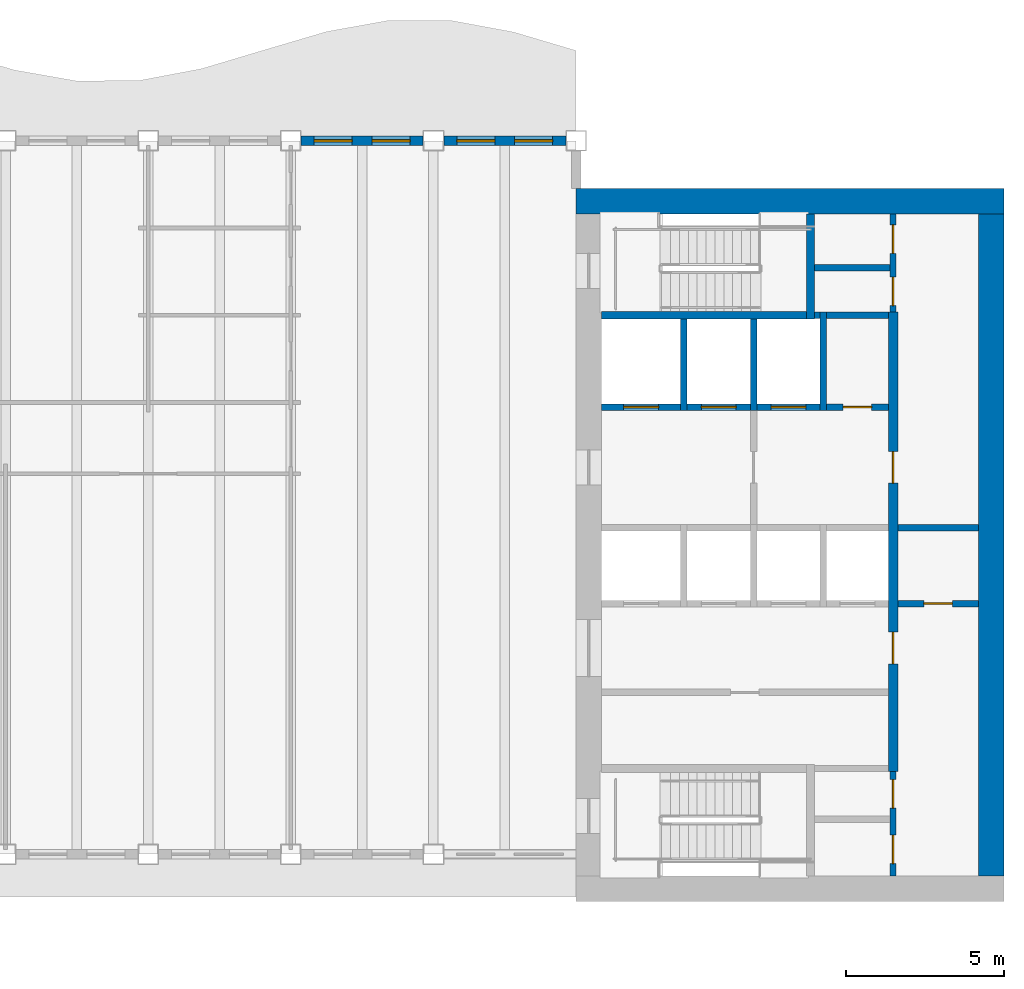
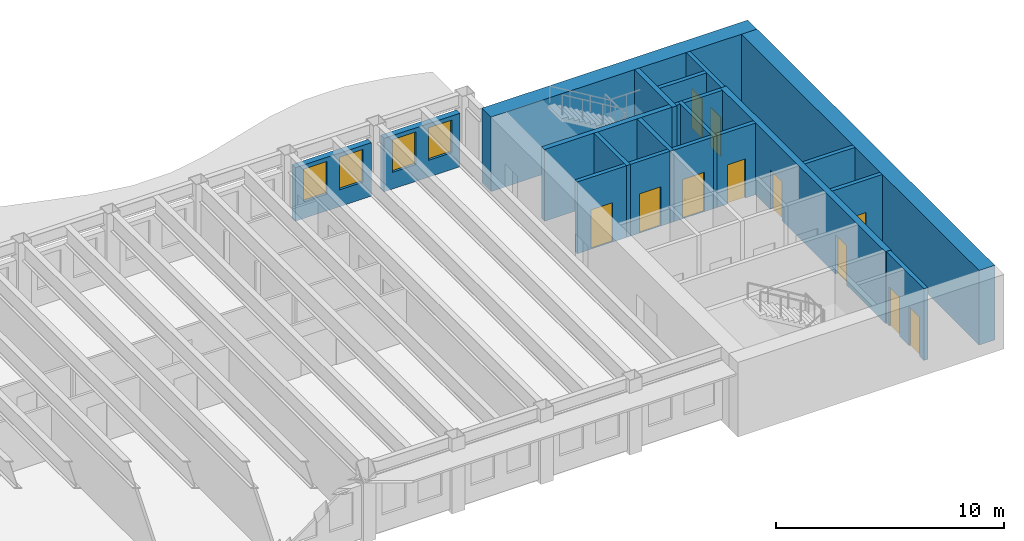
# One storey, part 6 of 12: 21 walls, 11 doors, 4 windows, 15 openings.
"""IFC4 building model written with IfcOpenShell, lengths in metres."""

from ifc_helpers import new_model, si_unit, direction, frame, frame_2d, origin, place, context, subcontext, project, spatial, rectangle, extrude, material, layer, layer_set, type_object, element, fill, save


model = new_model("IFC4")

# Units and contexts
model_context = context("Model", 3, precision=1e-05, world=origin(), true_north=direction((0.0, 1.0)))
body_context = subcontext(model_context, "Body", "Model", "MODEL_VIEW")
ifc_project = project(units=[si_unit("LENGTHUNIT", "METRE"), si_unit("AREAUNIT", "SQUARE_METRE"), si_unit("VOLUMEUNIT", "CUBIC_METRE"), si_unit("PLANEANGLEUNIT", "RADIAN"), si_unit("MASSUNIT", "GRAM", prefix="KILO")], contexts=[model_context])

# Site, building, storey
site_placement = place(None, origin())
site = spatial("IfcSite", under=ifc_project, at=site_placement, CompositionType="ELEMENT")
building_placement = place(site_placement, origin())
building = spatial("IfcBuilding", under=site, at=building_placement, Name="Sennacour Bend Tower", CompositionType="ELEMENT")
storey_placement = place(building_placement, frame((0.0, 0.0, 281.0)))
storey = spatial("IfcBuildingStorey", under=building, at=storey_placement, Name="L65", CompositionType="ELEMENT", Elevation=281.0)

# Walls
ifc_material_1 = material(Name="Concrete C50/60", Category="concrete")
ifc_layer_1 = layer(ifc_material_1, 0.800048828125, Name="Concrete C50/60", Category="concrete")
ifc_layer_set_1 = layer_set([ifc_layer_1], Name="Concrete C50/60")
wall_type_1 = type_object("IfcWallType", Name="Core wall 800 C50/60", PredefinedType="SHEAR", material=ifc_layer_set_1)
wall_1_placement = place(storey_placement, frame((54.0, 22.10009765625, -0.14990234375), z_axis=(0.0, 0.0, 1.0), x_axis=(1.0, 0.0, 0.0)))
element("IfcWall", 1, at=wall_1_placement, inside=storey, type_object=wall_type_1, Name="Core A wall L65 N", PredefinedType="SHEAR", context=body_context, shape_type="SweptSolid", body=[
    extrude(rectangle(XDim=13.5, YDim=0.800048828125, at=frame_2d((6.75, 0.0))), origin(), (0.0, 0.0, 1.0), 4.0),
])
wall_2_placement = place(storey_placement, frame((67.10009765625, 0.800048828125, -0.14990234375), z_axis=(0.0, 0.0, 1.0), x_axis=(0.0, 1.0, 0.0)))
element("IfcWall", 2, at=wall_2_placement, inside=storey, type_object=wall_type_1, Name="Core A wall L65 E", PredefinedType="SHEAR", context=body_context, shape_type="SweptSolid", body=[
    extrude(rectangle(XDim=20.89990234375, YDim=0.800048828125, at=frame_2d((10.449951171875, 0.0))), origin(), (0.0, 0.0, 1.0), 4.0),
])

# Wall, openings, doors
ifc_material_2 = material(Name="Fire-rated plasterboard partition on steel studs", Category="steel")
ifc_layer_2 = layer(ifc_material_2, 0.199951171875, Name="Fire-rated plasterboard partition on steel studs", Category="steel")
ifc_layer_set_2 = layer_set([ifc_layer_2], Name="Fire-rated plasterboard partition on steel studs")
wall_type_2 = type_object("IfcWallType", Name="Rated partition 200", PredefinedType="PARTITIONING", material=ifc_layer_set_2)
wall_3_placement = place(storey_placement, frame((64.0, 0.800048828125, 0.0), z_axis=(0.0, 0.0, 1.0), x_axis=(0.0, 1.0, 0.0)))
wall_3 = element("IfcWall", 3, at=wall_3_placement, inside=storey, type_object=wall_type_2, Name="P-L65-W026", PredefinedType="PARTITIONING", context=body_context, shape_type="SweptSolid", body=[
    extrude(rectangle(XDim=3.300048828125, YDim=0.199951171875, at=frame_2d((1.64990234375, 0.0))), origin(), (0.0, 0.0, 1.0), 3.85009765625),
])
opening_1_placement = place(wall_3_placement, frame((0.39990234375, 0.0, 0.0)))
opening_1 = element("IfcOpeningElement", 4, at=opening_1_placement, cuts=wall_3, Name="Opening SV", PredefinedType="OPENING", context=body_context, shape_type="SweptSolid", body=[
    extrude(rectangle(XDim=0.89990234375, YDim=2.10009765625, at=frame_2d((0.449951171875, 1.050048828125))), frame((0.0, 0.10986328125, 0.0), z_axis=(0.0, -1.0, 0.0), x_axis=(1.0, 0.0, 0.0)), (0.0, 0.0, 1.0), 0.219970703125),
])
opening_2_placement = place(wall_3_placement, frame((2.14990234375, 0.0, 0.0)))
opening_2 = element("IfcOpeningElement", 5, at=opening_2_placement, cuts=wall_3, Name="Opening WD", PredefinedType="OPENING", context=body_context, shape_type="SweptSolid", body=[
    extrude(rectangle(XDim=0.89990234375, YDim=2.10009765625, at=frame_2d((0.449951171875, 1.050048828125))), frame((0.0, 0.10986328125, 0.0), z_axis=(0.0, -1.0, 0.0), x_axis=(1.0, 0.0, 0.0)), (0.0, 0.0, 1.0), 0.219970703125),
])
ifc_material_3 = material(Name="Painted steel", Category="steel")
door_type_1 = type_object("IfcDoorType", Name="DR-SERVICE-900", OperationType="NOTDEFINED", PredefinedType="DOOR", material=ifc_material_3)
door_1_placement = place(opening_1_placement, origin())
door_1 = element("IfcDoor", 6, at=door_1_placement, inside=storey, type_object=door_type_1, Name="Door", OperationType="SINGLE_SWING_LEFT", OverallHeight=2.10009765625, OverallWidth=0.89990234375, PredefinedType="DOOR", context=body_context, shape_type="SweptSolid", body=[
    extrude(rectangle(XDim=0.89990234375, YDim=2.10009765625, at=frame_2d((0.449951171875, 1.050048828125))), frame((0.0, 0.02490234375, 0.0), z_axis=(0.0, -1.0, 0.0), x_axis=(1.0, 0.0, 0.0)), (0.0, 0.0, 1.0), 0.050048828125),
])
fill(opening_1, door_1)
ifc_material_4 = material(Name="Timber", Category="wood")
door_type_2 = type_object("IfcDoorType", Name="DR-WC-900", OperationType="NOTDEFINED", PredefinedType="DOOR", material=ifc_material_4)
door_2_placement = place(opening_2_placement, origin())
door_2 = element("IfcDoor", 7, at=door_2_placement, inside=storey, type_object=door_type_2, Name="Door", OperationType="SINGLE_SWING_RIGHT", OverallHeight=2.10009765625, OverallWidth=0.89990234375, PredefinedType="DOOR", context=body_context, shape_type="SweptSolid", body=[
    extrude(rectangle(XDim=0.89990234375, YDim=2.10009765625, at=frame_2d((0.449951171875, 1.050048828125))), frame((0.0, 0.02490234375, 0.0), z_axis=(0.0, -1.0, 0.0), x_axis=(1.0, 0.0, 0.0)), (0.0, 0.0, 1.0), 0.050048828125),
])
fill(opening_2, door_2)

wall_4_placement = place(storey_placement, frame((64.0, 18.60009765625, 0.0), z_axis=(0.0, 0.0, 1.0), x_axis=(0.0, 1.0, 0.0)))
wall_4 = element("IfcWall", 8, at=wall_4_placement, inside=storey, type_object=wall_type_2, Name="P-L65-W028", PredefinedType="PARTITIONING", context=body_context, shape_type="SweptSolid", body=[
    extrude(rectangle(XDim=3.099853515625, YDim=0.199951171875, at=frame_2d((1.5498046875, 0.0))), origin(), (0.0, 0.0, 1.0), 3.85009765625),
])
opening_3_placement = place(wall_4_placement, frame((0.199951171875, 0.0, 0.0)))
opening_3 = element("IfcOpeningElement", 9, at=opening_3_placement, cuts=wall_4, Name="Opening SV", PredefinedType="OPENING", context=body_context, shape_type="SweptSolid", body=[
    extrude(rectangle(XDim=0.89990234375, YDim=2.10009765625, at=frame_2d((0.449951171875, 1.050048828125))), frame((0.0, 0.10986328125, 0.0), z_axis=(0.0, -1.0, 0.0), x_axis=(1.0, 0.0, 0.0)), (0.0, 0.0, 1.0), 0.219970703125),
])
opening_4_placement = place(wall_4_placement, frame((1.849853515625, 0.0, 0.0)))
opening_4 = element("IfcOpeningElement", 10, at=opening_4_placement, cuts=wall_4, Name="Opening SV", PredefinedType="OPENING", context=body_context, shape_type="SweptSolid", body=[
    extrude(rectangle(XDim=0.89990234375, YDim=2.10009765625, at=frame_2d((0.449951171875, 1.050048828125))), frame((0.0, 0.10986328125, 0.0), z_axis=(0.0, -1.0, 0.0), x_axis=(1.0, 0.0, 0.0)), (0.0, 0.0, 1.0), 0.219970703125),
])
door_3_placement = place(opening_3_placement, origin())
door_3 = element("IfcDoor", 11, at=door_3_placement, inside=storey, type_object=door_type_1, Name="Door", OperationType="SINGLE_SWING_LEFT", OverallHeight=2.10009765625, OverallWidth=0.89990234375, PredefinedType="DOOR", context=body_context, shape_type="SweptSolid", body=[
    extrude(rectangle(XDim=0.89990234375, YDim=2.10009765625, at=frame_2d((0.449951171875, 1.050048828125))), frame((0.0, 0.02490234375, 0.0), z_axis=(0.0, -1.0, 0.0), x_axis=(1.0, 0.0, 0.0)), (0.0, 0.0, 1.0), 0.050048828125),
])
fill(opening_3, door_3)
door_4_placement = place(opening_4_placement, origin())
door_4 = element("IfcDoor", 12, at=door_4_placement, inside=storey, type_object=door_type_1, Name="Door", OperationType="SINGLE_SWING_RIGHT", OverallHeight=2.10009765625, OverallWidth=0.89990234375, PredefinedType="DOOR", context=body_context, shape_type="SweptSolid", body=[
    extrude(rectangle(XDim=0.89990234375, YDim=2.10009765625, at=frame_2d((0.449951171875, 1.050048828125))), frame((0.0, 0.02490234375, 0.0), z_axis=(0.0, -1.0, 0.0), x_axis=(1.0, 0.0, 0.0)), (0.0, 0.0, 1.0), 0.050048828125),
])
fill(opening_4, door_4)

# Wall, opening, door
wall_5_placement = place(storey_placement, frame((64.14990234375, 9.39990234375, 0.0), z_axis=(0.0, 0.0, 1.0), x_axis=(1.0, 0.0, 0.0)))
wall_5 = element("IfcWall", 13, at=wall_5_placement, inside=storey, type_object=wall_type_2, Name="P-L65-W040", PredefinedType="PARTITIONING", context=body_context, shape_type="SweptSolid", body=[
    extrude(rectangle(XDim=2.550048828125, YDim=0.199951171875, at=frame_2d((1.27490234375, 0.0))), origin(), (0.0, 0.0, 1.0), 3.85009765625),
])
opening_5_placement = place(wall_5_placement, frame((0.8251953125, 0.0, 0.0)))
opening_5 = element("IfcOpeningElement", 14, at=opening_5_placement, cuts=wall_5, Name="Opening SV", PredefinedType="OPENING", context=body_context, shape_type="SweptSolid", body=[
    extrude(rectangle(XDim=0.89990234375, YDim=2.10009765625, at=frame_2d((0.449951171875, 1.050048828125))), frame((0.0, 0.10986328125, 0.0), z_axis=(0.0, -1.0, 0.0), x_axis=(1.0, 0.0, 0.0)), (0.0, 0.0, 1.0), 0.219970703125),
])
door_5_placement = place(opening_5_placement, origin())
door_5 = element("IfcDoor", 15, at=door_5_placement, inside=storey, type_object=door_type_1, Name="Door", OperationType="SINGLE_SWING_LEFT", OverallHeight=2.10009765625, OverallWidth=0.89990234375, PredefinedType="DOOR", context=body_context, shape_type="SweptSolid", body=[
    extrude(rectangle(XDim=0.89990234375, YDim=2.10009765625, at=frame_2d((0.449951171875, 1.050048828125))), frame((0.0, 0.02490234375, 0.0), z_axis=(0.0, -1.0, 0.0), x_axis=(1.0, 0.0, 0.0)), (0.0, 0.0, 1.0), 0.050048828125),
])
fill(opening_5, door_5)

# Wall
wall_6_placement = place(storey_placement, frame((64.14990234375, 11.800048828125, 0.0), z_axis=(0.0, 0.0, 1.0), x_axis=(1.0, 0.0, 0.0)))
element("IfcWall", 16, at=wall_6_placement, inside=storey, type_object=wall_type_2, Name="P-L65-W042", PredefinedType="PARTITIONING", context=body_context, shape_type="SweptSolid", body=[
    extrude(rectangle(XDim=2.550048828125, YDim=0.199951171875, at=frame_2d((1.27490234375, 0.0))), origin(), (0.0, 0.0, 1.0), 3.85009765625),
])

# Wall, opening, door
wall_7_placement = place(storey_placement, frame((61.89990234375, 15.60009765625, 0.0), z_axis=(0.0, 0.0, 1.0), x_axis=(1.0, 0.0, 0.0)))
wall_7 = element("IfcWall", 17, at=wall_7_placement, inside=storey, type_object=wall_type_2, Name="P-L65-W045", PredefinedType="PARTITIONING", context=body_context, shape_type="SweptSolid", body=[
    extrude(rectangle(XDim=1.9501953125, YDim=0.199951171875, at=frame_2d((0.97509765625, 0.0))), origin(), (0.0, 0.0, 1.0), 3.85009765625),
])
opening_6_placement = place(wall_7_placement, frame((0.525146484375, 0.0, 0.0)))
opening_6 = element("IfcOpeningElement", 18, at=opening_6_placement, cuts=wall_7, Name="Opening SV", PredefinedType="OPENING", context=body_context, shape_type="SweptSolid", body=[
    extrude(rectangle(XDim=0.89990234375, YDim=2.10009765625, at=frame_2d((0.449951171875, 1.050048828125))), frame((0.0, 0.10986328125, 0.0), z_axis=(0.0, -1.0, 0.0), x_axis=(1.0, 0.0, 0.0)), (0.0, 0.0, 1.0), 0.219970703125),
])
door_6_placement = place(opening_6_placement, origin())
door_6 = element("IfcDoor", 19, at=door_6_placement, inside=storey, type_object=door_type_1, Name="Door", OperationType="SINGLE_SWING_LEFT", OverallHeight=2.10009765625, OverallWidth=0.89990234375, PredefinedType="DOOR", context=body_context, shape_type="SweptSolid", body=[
    extrude(rectangle(XDim=0.89990234375, YDim=2.10009765625, at=frame_2d((0.449951171875, 1.050048828125))), frame((0.0, 0.02490234375, 0.0), z_axis=(0.0, -1.0, 0.0), x_axis=(1.0, 0.0, 0.0)), (0.0, 0.0, 1.0), 0.050048828125),
])
fill(opening_6, door_6)

# Walls
wall_8_placement = place(storey_placement, frame((61.89990234375, 18.5, 0.0), z_axis=(0.0, 0.0, 1.0), x_axis=(1.0, 0.0, 0.0)))
element("IfcWall", 20, at=wall_8_placement, inside=storey, type_object=wall_type_2, Name="P-L65-W050", PredefinedType="PARTITIONING", context=body_context, shape_type="SweptSolid", body=[
    extrude(rectangle(XDim=1.9501953125, YDim=0.199951171875, at=frame_2d((0.97509765625, 0.0))), origin(), (0.0, 0.0, 1.0), 3.85009765625),
])
wall_9_placement = place(storey_placement, frame((61.52490234375, 20.0, 0.0), z_axis=(0.0, 0.0, 1.0), x_axis=(1.0, 0.0, 0.0)))
element("IfcWall", 21, at=wall_9_placement, inside=storey, type_object=wall_type_2, Name="P-L65-W051", PredefinedType="PARTITIONING", context=body_context, shape_type="SweptSolid", body=[
    extrude(rectangle(XDim=2.375, YDim=0.199951171875, at=frame_2d((1.1875, 0.0))), origin(), (0.0, 0.0, 1.0), 3.85009765625),
])

# Wall, openings, windows
ifc_material_5 = material(Name="Warm limestone cladding", Category="masonry")
ifc_layer_3 = layer(ifc_material_5, 0.050048828125, Name="Warm limestone cladding", Category="masonry")
ifc_material_6 = material(Name="Precast concrete C40/50", Category="concrete")
ifc_layer_4 = layer(ifc_material_6, 0.25, Name="Precast concrete C40/50", Category="concrete")
ifc_layer_set_3 = layer_set([ifc_layer_3, ifc_layer_4], Name="Precast concrete C40/50 with limestone cladding")
wall_type_3 = type_object("IfcWallType", Name="STONE-CLAD PRECAST SPANDREL 300", PredefinedType="STANDARD", material=ifc_layer_set_3)
wall_10_placement = place(storey_placement, frame((53.675048828125, 24.0, 0.0), z_axis=(0.0, 0.0, 1.0), x_axis=(-1.0, 0.0, 0.0)))
wall_10 = element("IfcWall", 22, at=wall_10_placement, inside=storey, type_object=wall_type_3, Name="Stone spandrel and pier wall L65 07.00", PredefinedType="STANDARD", context=body_context, shape_type="SweptSolid", body=[
    extrude(rectangle(XDim=3.85009765625, YDim=0.300048828125, at=frame_2d((1.925048828125, 0.0))), origin(), (0.0, 0.0, 1.0), 2.8701171875),
])
opening_7_placement = place(wall_10_placement, frame((0.41259765625, 0.0, 0.89990234375)))
opening_7 = element("IfcOpeningElement", 23, at=opening_7_placement, cuts=wall_10, Name="Opening W16", PredefinedType="OPENING", context=body_context, shape_type="SweptSolid", body=[
    extrude(rectangle(XDim=1.199951171875, YDim=1.75, at=frame_2d((0.60009765625, 0.875))), frame((0.0, 0.16015625, 0.0), z_axis=(0.0, -1.0, 0.0), x_axis=(1.0, 0.0, 0.0)), (0.0, 0.0, 1.0), 0.320068359375),
])
opening_8_placement = place(wall_10_placement, frame((2.237548828125, 0.0, 0.89990234375)))
opening_8 = element("IfcOpeningElement", 24, at=opening_8_placement, cuts=wall_10, Name="Opening W16", PredefinedType="OPENING", context=body_context, shape_type="SweptSolid", body=[
    extrude(rectangle(XDim=1.199951171875, YDim=1.75, at=frame_2d((0.60009765625, 0.875))), frame((0.0, 0.16015625, 0.0), z_axis=(0.0, -1.0, 0.0), x_axis=(1.0, 0.0, 0.0)), (0.0, 0.0, 1.0), 0.320068359375),
])
ifc_material_7 = material(Name="Clear low-emissivity glass", Category="glass")
window_type = type_object("IfcWindowType", Name="WIN-RIBBON-1200x1750", PartitioningType="SINGLE_PANEL", PredefinedType="WINDOW", material=ifc_material_7)
window_1_placement = place(opening_7_placement, origin())
window_1 = element("IfcWindow", 25, at=window_1_placement, inside=storey, type_object=window_type, Name="Ribbon window L65 07.00.0", OverallHeight=1.75, OverallWidth=1.199951171875, PartitioningType="SINGLE_PANEL", PredefinedType="WINDOW", context=body_context, shape_type="SweptSolid", body=[
    extrude(rectangle(XDim=1.199951171875, YDim=1.75, at=frame_2d((0.60009765625, 0.875))), frame((0.0, 0.030029296875, 0.0), z_axis=(0.0, -1.0, 0.0), x_axis=(1.0, 0.0, 0.0)), (0.0, 0.0, 1.0), 0.06005859375),
])
fill(opening_7, window_1)
window_2_placement = place(opening_8_placement, origin())
window_2 = element("IfcWindow", 26, at=window_2_placement, inside=storey, type_object=window_type, Name="Ribbon window L65 07.00.1", OverallHeight=1.75, OverallWidth=1.199951171875, PartitioningType="SINGLE_PANEL", PredefinedType="WINDOW", context=body_context, shape_type="SweptSolid", body=[
    extrude(rectangle(XDim=1.199951171875, YDim=1.75, at=frame_2d((0.60009765625, 0.875))), frame((0.0, 0.030029296875, 0.0), z_axis=(0.0, -1.0, 0.0), x_axis=(1.0, 0.0, 0.0)), (0.0, 0.0, 1.0), 0.06005859375),
])
fill(opening_8, window_2)

wall_11_placement = place(storey_placement, frame((49.175048828125, 24.0, 0.0), z_axis=(0.0, 0.0, 1.0), x_axis=(-1.0, 0.0, 0.0)))
wall_11 = element("IfcWall", 27, at=wall_11_placement, inside=storey, type_object=wall_type_3, Name="Stone spandrel and pier wall L65 07.01", PredefinedType="STANDARD", context=body_context, shape_type="SweptSolid", body=[
    extrude(rectangle(XDim=3.85009765625, YDim=0.300048828125, at=frame_2d((1.925048828125, 0.0))), origin(), (0.0, 0.0, 1.0), 2.8701171875),
])
opening_9_placement = place(wall_11_placement, frame((0.41259765625, 0.0, 0.89990234375)))
opening_9 = element("IfcOpeningElement", 28, at=opening_9_placement, cuts=wall_11, Name="Opening W16", PredefinedType="OPENING", context=body_context, shape_type="SweptSolid", body=[
    extrude(rectangle(XDim=1.199951171875, YDim=1.75, at=frame_2d((0.60009765625, 0.875))), frame((0.0, 0.16015625, 0.0), z_axis=(0.0, -1.0, 0.0), x_axis=(1.0, 0.0, 0.0)), (0.0, 0.0, 1.0), 0.320068359375),
])
opening_10_placement = place(wall_11_placement, frame((2.237548828125, 0.0, 0.89990234375)))
opening_10 = element("IfcOpeningElement", 29, at=opening_10_placement, cuts=wall_11, Name="Opening W16", PredefinedType="OPENING", context=body_context, shape_type="SweptSolid", body=[
    extrude(rectangle(XDim=1.199951171875, YDim=1.75, at=frame_2d((0.60009765625, 0.875))), frame((0.0, 0.16015625, 0.0), z_axis=(0.0, -1.0, 0.0), x_axis=(1.0, 0.0, 0.0)), (0.0, 0.0, 1.0), 0.320068359375),
])
window_3_placement = place(opening_9_placement, origin())
window_3 = element("IfcWindow", 30, at=window_3_placement, inside=storey, type_object=window_type, Name="Ribbon window L65 07.01.0", OverallHeight=1.75, OverallWidth=1.199951171875, PartitioningType="SINGLE_PANEL", PredefinedType="WINDOW", context=body_context, shape_type="SweptSolid", body=[
    extrude(rectangle(XDim=1.199951171875, YDim=1.75, at=frame_2d((0.60009765625, 0.875))), frame((0.0, 0.030029296875, 0.0), z_axis=(0.0, -1.0, 0.0), x_axis=(1.0, 0.0, 0.0)), (0.0, 0.0, 1.0), 0.06005859375),
])
fill(opening_9, window_3)
window_4_placement = place(opening_10_placement, origin())
window_4 = element("IfcWindow", 31, at=window_4_placement, inside=storey, type_object=window_type, Name="Ribbon window L65 07.01.1", OverallHeight=1.75, OverallWidth=1.199951171875, PartitioningType="SINGLE_PANEL", PredefinedType="WINDOW", context=body_context, shape_type="SweptSolid", body=[
    extrude(rectangle(XDim=1.199951171875, YDim=1.75, at=frame_2d((0.60009765625, 0.875))), frame((0.0, 0.030029296875, 0.0), z_axis=(0.0, -1.0, 0.0), x_axis=(1.0, 0.0, 0.0)), (0.0, 0.0, 1.0), 0.06005859375),
])
fill(opening_10, window_4)

# Walls
ifc_layer_5 = layer(ifc_material_1, 0.199951171875, Name="Concrete C50/60", Category="concrete")
ifc_layer_set_4 = layer_set([ifc_layer_5], Name="Concrete C50/60")
wall_type_4 = type_object("IfcWallType", Name="Shaft wall 200", PredefinedType="SOLIDWALL", material=ifc_layer_set_4)
for number, where, z_axis, x_axis, name in (
    (32, (57.39990234375, 15.5, 0.0), (0.0, 0.0, 1.0), (0.0, 1.0, 0.0), "P-L65-W018"),
    (33, (59.60009765625, 15.5, 0.0), (0.0, 0.0, 1.0), (0.0, 1.0, 0.0), "P-L65-W021"),
):
    element("IfcWall", number, at=place(storey_placement, frame(where, z_axis=z_axis, x_axis=x_axis)), inside=storey, type_object=wall_type_4, Name=name, PredefinedType="SOLIDWALL", context=body_context, shape_type="SweptSolid", body=[
        extrude(rectangle(XDim=2.875, YDim=0.199951171875, at=frame_2d((1.4375, 0.0))), origin(), (0.0, 0.0, 1.0), 3.85009765625),
    ])
wall_12_placement = place(storey_placement, frame((61.800048828125, 15.5, 0.0), z_axis=(0.0, 0.0, 1.0), x_axis=(0.0, 1.0, 0.0)))
element("IfcWall", 34, at=wall_12_placement, inside=storey, type_object=wall_type_4, Name="P-L65-W025", PredefinedType="SOLIDWALL", context=body_context, shape_type="SweptSolid", body=[
    extrude(rectangle(XDim=3.10009765625, YDim=0.199951171875, at=frame_2d((1.550048828125, 0.0))), origin(), (0.0, 0.0, 1.0), 3.85009765625),
])

# Wall, opening, door
wall_13_placement = place(storey_placement, frame((54.800048828125, 15.60009765625, 0.0), z_axis=(0.0, 0.0, 1.0), x_axis=(1.0, 0.0, 0.0)))
wall_13 = element("IfcWall", 35, at=wall_13_placement, inside=storey, type_object=wall_type_4, Name="P-L65-W044a", PredefinedType="SOLIDWALL", context=body_context, shape_type="SweptSolid", body=[
    extrude(rectangle(XDim=2.5, YDim=0.199951171875, at=frame_2d((1.25, 0.0))), origin(), (0.0, 0.0, 1.0), 3.85009765625),
])
opening_11_placement = place(wall_13_placement, frame((0.699951171875, 0.0, 0.011962890625)))
opening_11 = element("IfcOpeningElement", 36, at=opening_11_placement, cuts=wall_13, Name="Opening FLD", PredefinedType="OPENING", context=body_context, shape_type="SweptSolid", body=[
    extrude(rectangle(XDim=1.10009765625, YDim=2.10009765625, at=frame_2d((0.550048828125, 1.050048828125))), frame((0.0, 0.10986328125, 0.0), z_axis=(0.0, -1.0, 0.0), x_axis=(1.0, 0.0, 0.0)), (0.0, 0.0, 1.0), 0.219970703125),
])
ifc_material_8 = material(Name="Stainless steel", Category="steel")
door_type_3 = type_object("IfcDoorType", Name="DR-FF-LANDING-1100", OperationType="NOTDEFINED", PredefinedType="DOOR", material=ifc_material_8)
door_7_placement = place(opening_11_placement, origin())
door_7 = element("IfcDoor", 37, at=door_7_placement, inside=storey, type_object=door_type_3, Name="Fire service lift landing door FA1", OperationType="SLIDING_TO_LEFT", OverallHeight=2.10009765625, OverallWidth=1.10009765625, PredefinedType="DOOR", context=body_context, shape_type="SweptSolid", body=[
    extrude(rectangle(XDim=1.10009765625, YDim=2.10009765625, at=frame_2d((0.550048828125, 1.050048828125))), frame((0.0, 0.02490234375, 0.0), z_axis=(0.0, -1.0, 0.0), x_axis=(1.0, 0.0, 0.0)), (0.0, 0.0, 1.0), 0.050048828125),
])
fill(opening_11, door_7)

wall_14_placement = place(storey_placement, frame((57.5, 15.60009765625, 0.0), z_axis=(0.0, 0.0, 1.0), x_axis=(1.0, 0.0, 0.0)))
wall_14 = element("IfcWall", 38, at=wall_14_placement, inside=storey, type_object=wall_type_4, Name="P-L65-W044b", PredefinedType="SOLIDWALL", context=body_context, shape_type="SweptSolid", body=[
    extrude(rectangle(XDim=2.0, YDim=0.199951171875, at=frame_2d((1.0, 0.0))), origin(), (0.0, 0.0, 1.0), 3.85009765625),
])
opening_12_placement = place(wall_14_placement, frame((0.449951171875, 0.0, 0.011962890625)))
opening_12 = element("IfcOpeningElement", 39, at=opening_12_placement, cuts=wall_14, Name="Opening FLD", PredefinedType="OPENING", context=body_context, shape_type="SweptSolid", body=[
    extrude(rectangle(XDim=1.10009765625, YDim=2.10009765625, at=frame_2d((0.550048828125, 1.050048828125))), frame((0.0, 0.10986328125, 0.0), z_axis=(0.0, -1.0, 0.0), x_axis=(1.0, 0.0, 0.0)), (0.0, 0.0, 1.0), 0.219970703125),
])
door_8_placement = place(opening_12_placement, origin())
door_8 = element("IfcDoor", 40, at=door_8_placement, inside=storey, type_object=door_type_3, Name="Fire service lift landing door FA2", OperationType="SLIDING_TO_RIGHT", OverallHeight=2.10009765625, OverallWidth=1.10009765625, PredefinedType="DOOR", context=body_context, shape_type="SweptSolid", body=[
    extrude(rectangle(XDim=1.10009765625, YDim=2.10009765625, at=frame_2d((0.550048828125, 1.050048828125))), frame((0.0, 0.02490234375, 0.0), z_axis=(0.0, -1.0, 0.0), x_axis=(1.0, 0.0, 0.0)), (0.0, 0.0, 1.0), 0.050048828125),
])
fill(opening_12, door_8)

wall_15_placement = place(storey_placement, frame((59.699951171875, 15.60009765625, 0.0), z_axis=(0.0, 0.0, 1.0), x_axis=(1.0, 0.0, 0.0)))
wall_15 = element("IfcWall", 41, at=wall_15_placement, inside=storey, type_object=wall_type_4, Name="P-L65-W044c", PredefinedType="SOLIDWALL", context=body_context, shape_type="SweptSolid", body=[
    extrude(rectangle(XDim=2.0, YDim=0.199951171875, at=frame_2d((1.0, 0.0))), origin(), (0.0, 0.0, 1.0), 3.85009765625),
])
opening_13_placement = place(wall_15_placement, frame((0.449951171875, 0.0, 0.011962890625)))
opening_13 = element("IfcOpeningElement", 42, at=opening_13_placement, cuts=wall_15, Name="Opening LD", PredefinedType="OPENING", context=body_context, shape_type="SweptSolid", body=[
    extrude(rectangle(XDim=1.10009765625, YDim=2.10009765625, at=frame_2d((0.550048828125, 1.050048828125))), frame((0.0, 0.10986328125, 0.0), z_axis=(0.0, -1.0, 0.0), x_axis=(1.0, 0.0, 0.0)), (0.0, 0.0, 1.0), 0.219970703125),
])
door_type_4 = type_object("IfcDoorType", Name="DR-LANDING-1100", OperationType="NOTDEFINED", PredefinedType="DOOR", material=ifc_material_8)
door_9_placement = place(opening_13_placement, origin())
door_9 = element("IfcDoor", 43, at=door_9_placement, inside=storey, type_object=door_type_4, Name="Lift landing door HA5", OperationType="SLIDING_TO_LEFT", OverallHeight=2.10009765625, OverallWidth=1.10009765625, PredefinedType="DOOR", context=body_context, shape_type="SweptSolid", body=[
    extrude(rectangle(XDim=1.10009765625, YDim=2.10009765625, at=frame_2d((0.550048828125, 1.050048828125))), frame((0.0, 0.02490234375, 0.0), z_axis=(0.0, -1.0, 0.0), x_axis=(1.0, 0.0, 0.0)), (0.0, 0.0, 1.0), 0.050048828125),
])
fill(opening_13, door_9)

# Wall
wall_16_placement = place(storey_placement, frame((61.52490234375, 18.5, 0.0), z_axis=(0.0, 0.0, 1.0), x_axis=(1.0, 0.0, 0.0)))
element("IfcWall", 44, at=wall_16_placement, inside=storey, type_object=wall_type_4, Name="P-L65-W049", PredefinedType="SOLIDWALL", context=body_context, shape_type="SweptSolid", body=[
    extrude(rectangle(XDim=0.175048828125, YDim=0.199951171875, at=frame_2d((0.08740234375, 0.0))), origin(), (0.0, 0.0, 1.0), 3.85009765625),
])

# Wall, openings, doors
ifc_material_9 = material(Name="Concrete C60/75", Category="concrete")
ifc_layer_6 = layer(ifc_material_9, 0.300048828125, Name="Concrete C60/75", Category="concrete")
ifc_layer_set_5 = layer_set([ifc_layer_6], Name="Concrete C60/75")
wall_type_5 = type_object("IfcWallType", Name="Spine wall 300", PredefinedType="SHEAR", material=ifc_layer_set_5)
wall_17_placement = place(storey_placement, frame((64.0, 4.10009765625, 0.0), z_axis=(0.0, 0.0, 1.0), x_axis=(0.0, 1.0, 0.0)))
wall_17 = element("IfcWall", 45, at=wall_17_placement, inside=storey, type_object=wall_type_5, Name="P-L65-W027", PredefinedType="SHEAR", context=body_context, shape_type="SweptSolid", body=[
    extrude(rectangle(XDim=14.5, YDim=0.300048828125, at=frame_2d((7.25, 0.0))), origin(), (0.0, 0.0, 1.0), 3.85009765625),
])
opening_14_placement = place(wall_17_placement, frame((3.39990234375, 0.0, 0.0)))
opening_14 = element("IfcOpeningElement", 46, at=opening_14_placement, cuts=wall_17, Name="Opening CD2", PredefinedType="OPENING", context=body_context, shape_type="SweptSolid", body=[
    extrude(rectangle(XDim=1.0, YDim=2.10009765625, at=frame_2d((0.5, 1.050048828125))), frame((0.0, 0.16015625, 0.0), z_axis=(0.0, -1.0, 0.0), x_axis=(1.0, 0.0, 0.0)), (0.0, 0.0, 1.0), 0.320068359375),
])
opening_15_placement = place(wall_17_placement, frame((9.099853515625, 0.0, 0.0)))
opening_15 = element("IfcOpeningElement", 47, at=opening_15_placement, cuts=wall_17, Name="Opening CD2", PredefinedType="OPENING", context=body_context, shape_type="SweptSolid", body=[
    extrude(rectangle(XDim=1.0, YDim=2.10009765625, at=frame_2d((0.5, 1.050048828125))), frame((0.0, 0.16015625, 0.0), z_axis=(0.0, -1.0, 0.0), x_axis=(1.0, 0.0, 0.0)), (0.0, 0.0, 1.0), 0.320068359375),
])
door_type_5 = type_object("IfcDoorType", Name="DR-LOBBY-1000", OperationType="NOTDEFINED", PredefinedType="DOOR", material=ifc_material_3)
door_10_placement = place(opening_14_placement, origin())
door_10 = element("IfcDoor", 48, at=door_10_placement, inside=storey, type_object=door_type_5, Name="Door", OperationType="SINGLE_SWING_LEFT", OverallHeight=2.10009765625, OverallWidth=1.0, PredefinedType="DOOR", context=body_context, shape_type="SweptSolid", body=[
    extrude(rectangle(XDim=1.0, YDim=2.10009765625, at=frame_2d((0.5, 1.050048828125))), frame((0.0, 0.02490234375, 0.0), z_axis=(0.0, -1.0, 0.0), x_axis=(1.0, 0.0, 0.0)), (0.0, 0.0, 1.0), 0.050048828125),
])
fill(opening_14, door_10)
door_11_placement = place(opening_15_placement, origin())
door_11 = element("IfcDoor", 49, at=door_11_placement, inside=storey, type_object=door_type_5, Name="Door", OperationType="SINGLE_SWING_RIGHT", OverallHeight=2.10009765625, OverallWidth=1.0, PredefinedType="DOOR", context=body_context, shape_type="SweptSolid", body=[
    extrude(rectangle(XDim=1.0, YDim=2.10009765625, at=frame_2d((0.5, 1.050048828125))), frame((0.0, 0.02490234375, 0.0), z_axis=(0.0, -1.0, 0.0), x_axis=(1.0, 0.0, 0.0)), (0.0, 0.0, 1.0), 0.050048828125),
])
fill(opening_15, door_11)

# Walls
ifc_layer_7 = layer(ifc_material_9, 0.25, Name="Concrete C60/75", Category="concrete")
ifc_layer_set_6 = layer_set([ifc_layer_7], Name="Concrete C60/75")
wall_type_6 = type_object("IfcWallType", Name="Stair wall 250", PredefinedType="SHEAR", material=ifc_layer_set_6)
wall_18_placement = place(storey_placement, frame((61.39990234375, 18.375, 0.0), z_axis=(0.0, 0.0, 1.0), x_axis=(0.0, 1.0, 0.0)))
element("IfcWall", 50, at=wall_18_placement, inside=storey, type_object=wall_type_6, Name="P-L65-W023", PredefinedType="SHEAR", context=body_context, shape_type="SweptSolid", body=[
    extrude(rectangle(XDim=3.324951171875, YDim=0.25, at=frame_2d((1.66259765625, 0.0))), origin(), (0.0, 0.0, 1.0), 3.85009765625),
])
wall_19_placement = place(storey_placement, frame((54.800048828125, 18.5, 0.0), z_axis=(0.0, 0.0, 1.0), x_axis=(1.0, 0.0, 0.0)))
element("IfcWall", 51, at=wall_19_placement, inside=storey, type_object=wall_type_6, Name="P-L65-W048", PredefinedType="SHEAR", context=body_context, shape_type="SweptSolid", body=[
    extrude(rectangle(XDim=6.474853515625, YDim=0.25, at=frame_2d((3.2373046875, 0.0))), origin(), (0.0, 0.0, 1.0), 3.85009765625),
])

save(model, "model.ifc")
